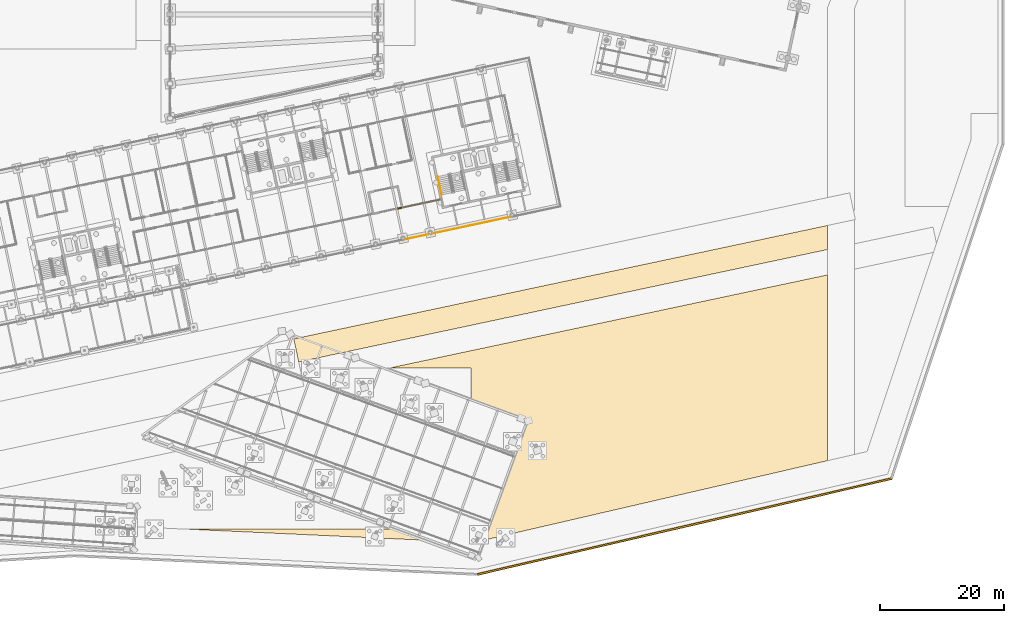
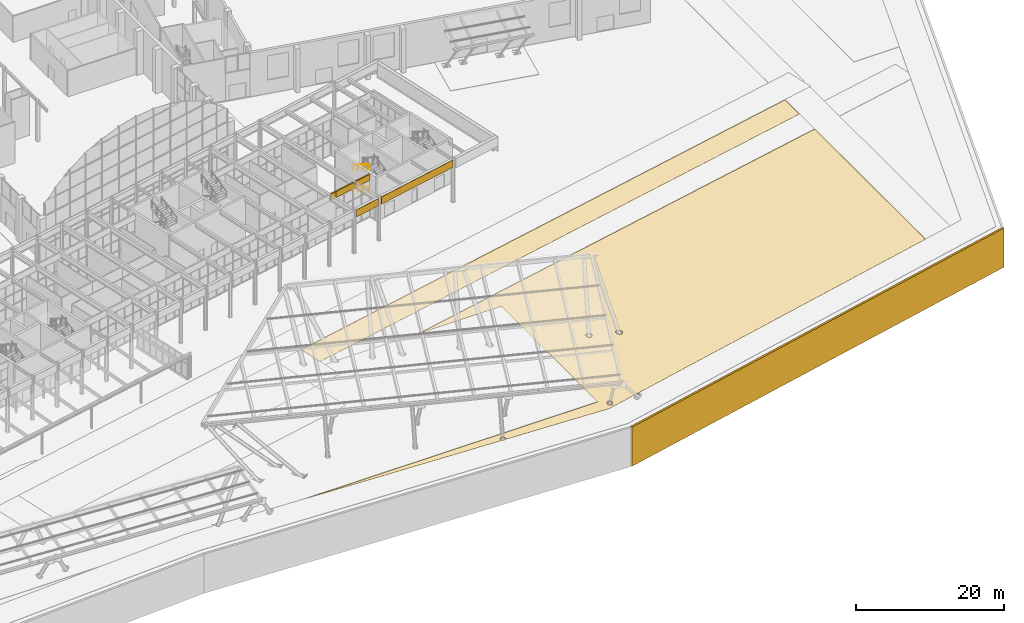
# One storey, part 216 of 239: 8 coverings, 2 railings.
"""IFC4 building model written with IfcOpenShell, lengths in metres."""

import ifcopenshell
import ifcopenshell.guid

model = None  # the IFC model being written
_history = None  # IfcOwnerHistory: only IFC2X3 demands one
_inside = {}  # id of a spatial element -> (the spatial element, [elements in it])
_under = {}  # id of a project, library or spatial element -> (it, [spatial elements below it])
_declared = {}  # id of a project -> (the project, [libraries it declares])
_typed = {}  # id of a type object -> (the type object, [elements of that type])
_made_of = {}  # id of a material, layer set ... -> (it, [elements and type objects made of it])


def new_model(schema):
    """Start an empty IFC model of exactly this schema.

    Asked for "IFC4X3", IfcOpenShell would pick the latest addendum, in which some entities
    have other attributes; the version numbers below select the first issue.
    IFC2X3 requires an IfcOwnerHistory on every rooted entity: one is made here for all.
    """
    global model, _history
    if schema == "IFC4X3":
        model = ifcopenshell.file(schema_version=(4, 3, 0, 0))
    else:
        model = ifcopenshell.file(schema=schema)
    _inside.clear()
    _under.clear()
    _declared.clear()
    _typed.clear()
    _made_of.clear()
    _history = None
    if model.schema == "IFC2X3":
        org = make("IfcOrganization", Name="unknown")
        user = make(
            "IfcPersonAndOrganization",
            ThePerson=make("IfcPerson", FamilyName="unknown"),
            TheOrganization=org,
        )
        app = make(
            "IfcApplication",
            ApplicationDeveloper=org,
            Version="unknown",
            ApplicationFullName="unknown",
            ApplicationIdentifier="unknown",
        )
        _history = make(
            "IfcOwnerHistory",
            OwningUser=user,
            OwningApplication=app,
            ChangeAction="ADDED",
            CreationDate=0,
        )
    return model


def make(cls, **values):
    """One entity of the class cls with the attributes given. An attribute that is None is left unset."""
    return model.create_entity(
        cls, **{name: value for name, value in values.items() if value is not None}
    )


def rooted(cls, **values):
    """An entity with a GlobalId (a new one), such as an element, a storey or a relation."""
    return make(cls, GlobalId=ifcopenshell.guid.new(), OwnerHistory=_history, **values)


def si_unit(unit_type, name, prefix=None):
    """IfcSIUnit, for example si_unit("LENGTHUNIT", "METRE", prefix="MILLI")."""
    return make("IfcSIUnit", UnitType=unit_type, Prefix=prefix, Name=name)


def assignment(units):
    """IfcUnitAssignment: the units of a project."""
    return None if units is None else make("IfcUnitAssignment", Units=units)


def point(xyz):
    """IfcCartesianPoint."""
    return None if xyz is None else make("IfcCartesianPoint", Coordinates=xyz)


def direction(xyz):
    """IfcDirection."""
    return None if xyz is None else make("IfcDirection", DirectionRatios=xyz)


def frame(location, z_axis=None, x_axis=None):
    """IfcAxis2Placement3D, a coordinate frame: its origin and axes. An axis left out is left unset."""
    return make(
        "IfcAxis2Placement3D",
        Location=point(location),
        Axis=direction(z_axis),
        RefDirection=direction(x_axis),
    )


def frame_2d(location, x_axis=None):
    """IfcAxis2Placement2D, a coordinate frame in the plane: its origin and x axis."""
    return make(
        "IfcAxis2Placement2D", Location=point(location), RefDirection=direction(x_axis)
    )


def origin():
    """The frame at (0, 0, 0) with its axes left unset."""
    return frame((0.0, 0.0, 0.0))


def origin_2d():
    """The frame at (0, 0) in the plane with its x axis left unset."""
    return frame_2d((0.0, 0.0))


def place(relative_to, where):
    """IfcLocalPlacement: puts the frame where relative to a parent placement (None: the world)."""
    return make(
        "IfcLocalPlacement", PlacementRelTo=relative_to, RelativePlacement=where
    )


def context(
    kind, dimensions, precision=None, world=None, true_north=None, identifier=None
):
    """IfcGeometricRepresentationContext, for example the 3D "Model" context."""
    return make(
        "IfcGeometricRepresentationContext",
        ContextIdentifier=identifier,
        ContextType=kind,
        CoordinateSpaceDimension=dimensions,
        Precision=precision,
        WorldCoordinateSystem=world,
        TrueNorth=true_north,
    )


def subcontext(parent, identifier, kind, view, scale=None):
    """IfcGeometricRepresentationSubContext, for example "Body" below "Model"."""
    return make(
        "IfcGeometricRepresentationSubContext",
        ContextIdentifier=identifier,
        ContextType=kind,
        ParentContext=parent,
        TargetScale=scale,
        TargetView=view,
    )


def project(units=None, contexts=None):
    """IfcProject with its units and contexts."""
    return rooted(
        "IfcProject",
        Name="project",
        RepresentationContexts=contexts,
        UnitsInContext=assignment(units),
    )


def spatial(cls, under=None, at=None, **own):
    """A site, building, storey or space (cls), placed at a placement, below another one or the project."""
    s = rooted(cls, ObjectPlacement=at, **own)
    if under is not None:
        _under.setdefault(under.id(), (under, []))[1].append(s)
    return s


def polyline(points):
    """IfcPolyline through the points."""
    return make("IfcPolyline", Points=[point(p) for p in points])


def profile(cls, at=None, kind="AREA", **sizes):
    """A parametric profile (cls). Its sizes go by their IFC names, for example OverallWidth=200.0."""
    return make(cls, ProfileType=kind, Position=at, **sizes)


def rectangle(**sizes):
    """IfcRectangleProfileDef."""
    return profile("IfcRectangleProfileDef", **sizes)


def circle(**sizes):
    """IfcCircleProfileDef."""
    return profile("IfcCircleProfileDef", **sizes)


def outline(outer, holes=None, kind="AREA"):
    """IfcArbitraryClosedProfileDef: a profile drawn as a closed curve; with holes, ...WithVoids."""
    if holes is None:
        return make("IfcArbitraryClosedProfileDef", ProfileType=kind, OuterCurve=outer)
    return make(
        "IfcArbitraryProfileDefWithVoids",
        ProfileType=kind,
        OuterCurve=outer,
        InnerCurves=holes,
    )


def extrude(swept, where, along, depth):
    """IfcExtrudedAreaSolid: the profile swept, set in the frame where, extruded along a direction by depth."""
    return make(
        "IfcExtrudedAreaSolid",
        SweptArea=swept,
        Position=where,
        ExtrudedDirection=direction(along),
        Depth=depth,
    )


def shape(context_of_items, identifier, shape_type, items):
    """IfcShapeRepresentation: the items that make up one representation, for example the "Body"."""
    return make(
        "IfcShapeRepresentation",
        ContextOfItems=context_of_items,
        RepresentationIdentifier=identifier,
        RepresentationType=shape_type,
        Items=items,
    )


def material(Name=None, Category=None):
    """IfcMaterial."""
    return make("IfcMaterial", Name=Name, Category=Category)


def layer(
    of_material, thickness, ventilated=None, Name=None, Category=None, Priority=None
):
    """IfcMaterialLayer: one layer of a wall or slab, of a material (None: an air gap)."""
    return make(
        "IfcMaterialLayer",
        Material=of_material,
        LayerThickness=thickness,
        IsVentilated=ventilated,
        Name=Name,
        Category=Category,
        Priority=Priority,
    )


def layer_set(layers, Name=None):
    """IfcMaterialLayerSet."""
    return make("IfcMaterialLayerSet", MaterialLayers=layers, LayerSetName=Name)


def made_of(thing, what):
    """Note that an element or type object is made of a material, layer set ...; save() writes the relation."""
    if what is not None:
        _made_of.setdefault(what.id(), (what, []))[1].append(thing)
    return thing


def type_object(cls, material=None, **own):
    """A type object (cls), such as IfcWallType, which elements share."""
    return made_of(rooted(cls, **own), material)


def element(
    cls,
    number,
    at=None,
    inside=None,
    cuts=None,
    type_object=None,
    material=None,
    context=None,
    identifier="Body",
    shape_type=None,
    held_by="IfcProductDefinitionShape",
    body=None,
    shapes=None,
    **own,
):
    """One element of the class cls, such as IfcWall. Its Tag is "e" and its number.

    at: its placement. inside: the storey or other place that contains it. cuts: it is an
    opening in that element (IfcRelVoidsElement). A single representation is given by context,
    identifier, shape_type and body (its items); several are given by shapes. held_by: the class
    of the entity that holds the representations. save() writes the other relations.
    """
    e = rooted(cls, Tag="e%d" % number, ObjectPlacement=at, **own)
    if body is not None:
        shapes = [shape(context, identifier, shape_type, body)]
    if shapes is not None:
        e.Representation = make(held_by, Representations=shapes)
    if inside is not None:
        _inside.setdefault(inside.id(), (inside, []))[1].append(e)
    if cuts is not None:
        rooted(
            "IfcRelVoidsElement", RelatingBuildingElement=cuts, RelatedOpeningElement=e
        )
    if type_object is not None:
        _typed.setdefault(type_object.id(), (type_object, []))[1].append(e)
    return made_of(e, material)


def aggregate(whole, parts):
    """IfcRelAggregates: a whole, such as a stair, and the parts it consists of."""
    return rooted("IfcRelAggregates", RelatingObject=whole, RelatedObjects=parts)


def save(model, path):
    """Write the relations noted so far, then the file.

    IfcRelAggregates (storeys below a building ...), IfcRelContainedInSpatialStructure (elements
    in a storey), IfcRelDefinesByType, IfcRelAssociatesMaterial and IfcRelDeclares: one each for
    every whole, place, type object, material and project.
    """
    for whole, parts in _under.values():
        aggregate(whole, parts)
    for where, things in _inside.values():
        rooted(
            "IfcRelContainedInSpatialStructure",
            RelatedElements=things,
            RelatingStructure=where,
        )
    for kind, things in _typed.values():
        rooted("IfcRelDefinesByType", RelatedObjects=things, RelatingType=kind)
    for what, things in _made_of.values():
        rooted("IfcRelAssociatesMaterial", RelatedObjects=things, RelatingMaterial=what)
    for by, libraries in _declared.values():
        rooted("IfcRelDeclares", RelatingContext=by, RelatedDefinitions=libraries)
    model.write(path)


model = new_model("IFC4")

# Units and contexts
model_context = context("Model", 3, precision=1e-05, world=origin(), true_north=direction((0.0, 1.0)))
body_context = subcontext(model_context, "Body", "Model", "MODEL_VIEW")
ifc_project = project(units=[si_unit("LENGTHUNIT", "METRE"), si_unit("AREAUNIT", "SQUARE_METRE"), si_unit("VOLUMEUNIT", "CUBIC_METRE"), si_unit("PLANEANGLEUNIT", "RADIAN"), si_unit("MASSUNIT", "GRAM", prefix="KILO")], contexts=[model_context])

# Site, building, storey
site_placement = place(None, origin())
site = spatial("IfcSite", under=ifc_project, at=site_placement, CompositionType="ELEMENT")
building_placement = place(site_placement, origin())
building = spatial("IfcBuilding", under=site, at=building_placement, Name="Okhra Congress Centre", CompositionType="ELEMENT")
storey_placement = place(building_placement, origin())
storey = spatial("IfcBuildingStorey", under=building, at=storey_placement, Name="L00", CompositionType="ELEMENT", Elevation=0.0)

# Coverings
ifc_material_1 = material(Name="Dark bronze anodised aluminium fascia panel", Category="aluminium")
ifc_layer_1 = layer(ifc_material_1, 0.06005859375)
ifc_layer_set_1 = layer_set([ifc_layer_1], Name="Dark bronze fascia strip 60")
covering_type_1 = type_object("IfcCoveringType", Name="Dark bronze fascia strip 60", PredefinedType="CLADDING", material=ifc_layer_set_1)
covering_1_placement = place(storey_placement, frame((195.3095703125, 55.1201171875, 5.85009765625), z_axis=(0.0, 0.0, 1.0), x_axis=(0.978147600734, 0.207911690818, 0.0)))
element("IfcCovering", 1, at=covering_1_placement, inside=storey, type_object=covering_type_1, Name="Girder fascia strip", PredefinedType="CLADDING", context=body_context, shape_type="SweptSolid", body=[
    extrude(rectangle(XDim=3.991943359375, YDim=0.06005859375, at=origin_2d()), origin(), (0.0, 0.0, 1.0), 1.199951171875),
])
covering_2_placement = place(storey_placement, frame((204.11279296875, 56.991455078125, 5.85009765625), z_axis=(0.0, 0.0, 1.0), x_axis=(0.978147600734, 0.207911690818, 0.0)))
element("IfcCovering", 2, at=covering_2_placement, inside=storey, type_object=covering_type_1, Name="Girder fascia strip", PredefinedType="CLADDING", context=body_context, shape_type="SweptSolid", body=[
    extrude(rectangle(XDim=12.991943359375, YDim=0.06005859375, at=origin_2d()), origin(), (0.0, 0.0, 1.0), 1.199951171875),
])
ifc_material_2 = material(Name="Insulated metal sandwich panel (mineral wool core)")
ifc_layer_2 = layer(ifc_material_2, 0.199951171875)
ifc_layer_set_2 = layer_set([ifc_layer_2], Name="Insulated fascia cladding panel 200")
covering_type_2 = type_object("IfcCoveringType", Name="Insulated fascia cladding panel 200", PredefinedType="CLADDING", material=ifc_layer_set_2)
covering_3_placement = place(storey_placement, frame((194.663818359375, 60.201904296875, 6.050048828125), z_axis=(0.0, 0.0, 1.0), x_axis=(0.978147600734, 0.207911690818, 0.0)))
element("IfcCovering", 3, at=covering_3_placement, inside=storey, type_object=covering_type_2, Name="Fascia over glazing", PredefinedType="CLADDING", context=body_context, shape_type="SweptSolid", body=[
    extrude(rectangle(XDim=3.35009765625, YDim=0.199951171875, at=origin_2d()), origin(), (0.0, 0.0, 1.0), 1.0),
])
covering_4_placement = place(storey_placement, frame((197.8427734375, 60.877685546875, 6.050048828125), z_axis=(0.0, 0.0, 1.0), x_axis=(0.978147600734, 0.207911690818, 0.0)))
element("IfcCovering", 4, at=covering_4_placement, inside=storey, type_object=covering_type_2, Name="Fascia over glazing", PredefinedType="CLADDING", context=body_context, shape_type="SweptSolid", body=[
    extrude(rectangle(XDim=2.550048828125, YDim=0.199951171875, at=origin_2d()), origin(), (0.0, 0.0, 1.0), 1.0),
])
covering_5_placement = place(storey_placement, frame((192.60986328125, 59.765380859375, 6.050048828125), z_axis=(0.0, 0.0, 1.0), x_axis=(0.978147600734, 0.207911690818, 0.0)))
element("IfcCovering", 5, at=covering_5_placement, inside=storey, type_object=covering_type_2, Name="Fascia over glazing", PredefinedType="CLADDING", context=body_context, shape_type="SweptSolid", body=[
    extrude(rectangle(XDim=0.85009765625, YDim=0.199951171875, at=origin_2d()), origin(), (0.0, 0.0, 1.0), 1.0),
])
ifc_material_3 = material(Name="Compacted engineered fill face with geotextile and turf")
ifc_layer_3 = layer(ifc_material_3, 0.300048828125)
ifc_layer_set_3 = layer_set([ifc_layer_3], Name="Site ground edge (engineered fill face)")
covering_type_3 = type_object("IfcCoveringType", Name="Site ground edge (engineered fill face)", PredefinedType="USERDEFINED", material=ifc_layer_set_3)
covering_6_placement = place(storey_placement, frame((0.0, 0.0, -6.5)))
element("IfcCovering", 6, at=covering_6_placement, inside=storey, type_object=covering_type_3, Name="Site ground edge (engineered fill face) 5", ObjectType="Site ground edge (engineered fill face)", PredefinedType="USERDEFINED", context=body_context, shape_type="SweptSolid", body=[
    extrude(outline(polyline([(205.0, 0.5), (272.0, 16.0), (271.7685546875, 16.25439453125), (204.97265625, 0.801513671875), (205.0, 0.5)])), origin(), (0.0, 0.0, 1.0), 6.449951171875),
])
ifc_material_4 = material(Name="Compacted engineered fill with topsoil and grass or paving bed")
ifc_layer_4 = layer(ifc_material_4, 0.050048828125)
ifc_layer_set_4 = layer_set([ifc_layer_4], Name="Site ground surface (engineered fill and landscape)")
covering_type_4 = type_object("IfcCoveringType", Name="Site ground surface (engineered fill and landscape)", PredefinedType="FLOORING", material=ifc_layer_set_4)
covering_7_placement = place(storey_placement, frame((0.0, 0.0, -0.10009765625)))
element("IfcCovering", 7, at=covering_7_placement, inside=storey, type_object=covering_type_4, Name="Site ground surface (engineered fill and landscape) 3", PredefinedType="FLOORING", context=body_context, shape_type="SweptSolid", body=[
    extrude(outline(polyline([(188.220458984375, 6.580810546875), (188.19287109375, 6.6328125), (188.169921875, 6.6982421875), (188.159912109375, 6.76708984375), (188.16015625, 6.802001953125), (188.163818359375, 6.83642578125), (188.18115234375, 6.90380859375), (188.255126953125, 7.1025390625), (188.291259765625, 7.162109375), (188.3134765625, 7.188720703125), (188.33837890625, 7.21337890625), (188.394287109375, 7.25439453125), (188.457275390625, 7.28369140625), (188.49072265625, 7.293701171875), (188.52490234375, 7.30029296875), (188.59423828125, 7.30322265625), (188.62890625, 7.2998046875), (188.6962890625, 7.282470703125), (188.728271484375, 7.26904296875), (188.78759765625, 7.23291015625), (188.839111328125, 7.18603515625), (188.86083984375, 7.158935546875), (188.896240234375, 7.09912109375), (188.91943359375, 7.033447265625), (188.92919921875, 6.964599609375), (188.928955078125, 6.929931640625), (188.91845703125, 6.861083984375), (188.833984375, 6.629150390625), (188.8173828125, 6.5986328125), (188.78759765625, 6.5546875), (204.515869140625, 5.82861328125), (209.611328125, 7.00732421875), (209.459716796875, 6.89599609375), (209.592529296875, 6.908447265625), (209.661865234375, 6.90478515625), (209.729248046875, 6.8876953125), (209.84423828125, 6.83935546875), (209.6923828125, 7.026123046875), (261.49951171875, 19.011474609375), (261.49951171875, 48.97705078125), (191.176025390625, 34.029296875), (191.17919921875, 34.00048828125), (204.00048828125, 34.00048828125), (204.00048828125, 7.99951171875), (158.6328125, 7.99951171875), (158.631591796875, 7.9462890625), (188.220458984375, 6.580810546875)]), holes=[polyline([(214.3251953125, 21.024658203125), (214.30810546875, 20.988525390625), (214.294921875, 20.951171875), (214.28515625, 20.91259765625), (214.279296875, 20.873046875), (214.27734375, 20.83349609375), (214.279296875, 20.793701171875), (214.28515625, 20.754150390625), (214.294921875, 20.715576171875), (214.3505859375, 20.531982421875), (214.364013671875, 20.494384765625), (214.380859375, 20.45849609375), (214.4013671875, 20.42431640625), (214.425048828125, 20.392333984375), (214.451904296875, 20.36279296875), (214.481201171875, 20.336181640625), (214.51318359375, 20.3125), (214.54736328125, 20.2919921875), (214.58349609375, 20.27490234375), (214.620849609375, 20.261474609375), (214.659423828125, 20.251708984375), (214.69873046875, 20.24609375), (214.738525390625, 20.243896484375), (214.7783203125, 20.24609375), (214.817626953125, 20.251708984375), (214.856201171875, 20.261474609375), (214.893798828125, 20.27490234375), (214.9296875, 20.2919921875), (214.9638671875, 20.3125), (214.995849609375, 20.336181640625), (215.025390625, 20.36279296875), (215.052001953125, 20.392333984375), (215.07568359375, 20.42431640625), (215.09619140625, 20.45849609375), (215.11328125, 20.494384765625), (215.126708984375, 20.531982421875), (215.136474609375, 20.570556640625), (215.142333984375, 20.60986328125), (215.144287109375, 20.649658203125), (215.142333984375, 20.689453125), (215.136474609375, 20.728759765625), (215.126708984375, 20.767333984375), (215.071044921875, 20.950927734375), (215.0576171875, 20.988525390625), (215.04052734375, 21.0244140625), (215.020263671875, 21.05859375), (214.99658203125, 21.090576171875), (214.9697265625, 21.1201171875), (214.940185546875, 21.146728515625), (214.908203125, 21.170654296875), (214.8740234375, 21.19091796875), (214.838134765625, 21.2080078125), (214.80078125, 21.221435546875), (214.76220703125, 21.231201171875), (214.72265625, 21.237060546875), (214.68310546875, 21.239013671875), (214.643310546875, 21.237060546875), (214.603759765625, 21.231201171875), (214.565185546875, 21.221435546875), (214.527587890625, 21.2080078125), (214.49169921875, 21.191162109375), (214.45751953125, 21.170654296875), (214.425537109375, 21.14697265625), (214.39599609375, 21.1201171875), (214.369384765625, 21.0908203125), (214.345703125, 21.05859375), (214.3251953125, 21.024658203125)]), polyline([(210.673095703125, 22.597900390625), (210.6376953125, 22.57958984375), (210.6044921875, 22.5576171875), (210.57373046875, 22.532470703125), (210.54541015625, 22.50439453125), (210.52001953125, 22.473876953125), (210.497802734375, 22.44091796875), (210.478759765625, 22.40576171875), (210.46337890625, 22.369140625), (210.410888671875, 22.224853515625), (210.39892578125, 22.186767578125), (210.39111328125, 22.147705078125), (210.386962890625, 22.108154296875), (210.38671875, 22.068359375), (210.390380859375, 22.02880859375), (210.39794921875, 21.98974609375), (210.4091796875, 21.95166015625), (210.42431640625, 21.914794921875), (210.44287109375, 21.87939453125), (210.46484375, 21.84619140625), (210.489990234375, 21.8154296875), (210.517822265625, 21.787109375), (210.548583984375, 21.76171875), (210.58154296875, 21.739501953125), (210.616455078125, 21.720458984375), (210.6533203125, 21.705078125), (210.691162109375, 21.693115234375), (210.730224609375, 21.685302734375), (210.769775390625, 21.68115234375), (210.8095703125, 21.680908203125), (210.84912109375, 21.6845703125), (210.88818359375, 21.692138671875), (210.926513671875, 21.70361328125), (210.96337890625, 21.718505859375), (210.99853515625, 21.737060546875), (211.03173828125, 21.759033203125), (211.062744140625, 21.7841796875), (211.091064453125, 21.81201171875), (211.116455078125, 21.8427734375), (211.138671875, 21.875732421875), (211.15771484375, 21.91064453125), (211.173095703125, 21.947509765625), (211.2255859375, 22.091796875), (211.2373046875, 22.129638671875), (211.245361328125, 22.168701171875), (211.24951171875, 22.208251953125), (211.24951171875, 22.248046875), (211.24609375, 22.28759765625), (211.23828125, 22.326904296875), (211.22705078125, 22.364990234375), (211.2119140625, 22.40185546875), (211.193603515625, 22.43701171875), (211.17138671875, 22.47021484375), (211.146484375, 22.501220703125), (211.118408203125, 22.529541015625), (211.087890625, 22.554931640625), (211.0546875, 22.5771484375), (211.019775390625, 22.59619140625), (210.983154296875, 22.611572265625), (210.945068359375, 22.623291015625), (210.906005859375, 22.63134765625), (210.866455078125, 22.635498046875), (210.82666015625, 22.635498046875), (210.787109375, 22.632080078125), (210.748046875, 22.62451171875), (210.7099609375, 22.613037109375), (210.673095703125, 22.597900390625)]), polyline([(205.384521484375, 6.496337890625), (205.415283203125, 6.5126953125), (205.4443359375, 6.53173828125), (205.471435546875, 6.5537109375), (205.49609375, 6.578125), (205.518310546875, 6.60498046875), (205.537841796875, 6.6337890625), (205.554443359375, 6.664306640625), (205.56787109375, 6.6962890625), (205.65283203125, 6.9296875), (205.6630859375, 6.962890625), (205.670166015625, 6.9970703125), (205.673583984375, 7.03173828125), (205.673828125, 7.06640625), (205.670654296875, 7.101318359375), (205.6640625, 7.13525390625), (205.654052734375, 7.168701171875), (205.64111328125, 7.200927734375), (205.624755859375, 7.231689453125), (205.605712890625, 7.2607421875), (205.58349609375, 7.28759765625), (205.55908203125, 7.3125), (205.532470703125, 7.334716796875), (205.50341796875, 7.354248046875), (205.472900390625, 7.370849609375), (205.44091796875, 7.38427734375), (205.40771484375, 7.39453125), (205.37353515625, 7.401611328125), (205.3388671875, 7.405029296875), (205.30419921875, 7.4052734375), (205.26953125, 7.402099609375), (205.2353515625, 7.3955078125), (205.201904296875, 7.385498046875), (205.169677734375, 7.372314453125), (205.138916015625, 7.356201171875), (205.10986328125, 7.3369140625), (205.0830078125, 7.315185546875), (205.05810546875, 7.29052734375), (205.035888671875, 7.263916015625), (205.016357421875, 7.235107421875), (205.0, 7.204345703125), (204.986328125, 7.17236328125), (204.9013671875, 6.93896484375), (204.89111328125, 6.90576171875), (204.88427734375, 6.87158203125), (204.880615234375, 6.8369140625), (204.88037109375, 6.80224609375), (204.883544921875, 6.767578125), (204.89013671875, 6.7333984375), (204.900146484375, 6.7001953125), (204.913330078125, 6.66796875), (204.929443359375, 6.63720703125), (204.94873046875, 6.60791015625), (204.970703125, 6.5810546875), (204.9951171875, 6.556396484375), (205.02197265625, 6.5341796875), (205.05078125, 6.5146484375), (205.081298828125, 6.498046875), (205.11328125, 6.484619140625), (205.146484375, 6.47412109375), (205.1806640625, 6.46728515625), (205.21533203125, 6.463623046875), (205.25, 6.46337890625), (205.284912109375, 6.466796875), (205.31884765625, 6.473388671875), (205.352294921875, 6.483154296875), (205.384521484375, 6.496337890625)])]), origin(), (0.0, 0.0, 1.0), 0.050048828125),
])
covering_8_placement = place(storey_placement, frame((0.0, 0.0, -0.10009765625)))
element("IfcCovering", 8, at=covering_8_placement, inside=storey, type_object=covering_type_4, Name="Site ground surface (engineered fill and landscape) 6", PredefinedType="FLOORING", context=body_context, shape_type="SweptSolid", body=[
    extrude(outline(polyline([(176.238037109375, 34.944580078125), (261.49951171875, 53.0673828125), (261.49951171875, 56.951171875), (175.4482421875, 38.660400390625), (176.238037109375, 34.944580078125)])), origin(), (0.0, 0.0, 1.0), 0.050048828125),
])

# Railings
ifc_material_5 = material(Name="Painted steel tube handrail on wall brackets", Category="steel")
railing_type = type_object("IfcRailingType", Name="Steel handrail 900", PredefinedType="HANDRAIL", material=ifc_material_5)
railing_1_placement = place(storey_placement, frame((198.6630859375, 64.834716796875, 1.963623046875)))
element("IfcRailing", 9, at=railing_1_placement, inside=storey, type_object=railing_type, Name="L00 BS5A stair handrail 2", PredefinedType="HANDRAIL", context=body_context, shape_type="SweptSolid", body=[
    extrude(circle(Radius=0.02392578125, at=origin_2d()), frame((0.0, 0.0, 0.8759765625), z_axis=(0.182528576341, -0.858705865993, 0.47886068384), x_axis=(0.978146440129, 0.207917150959, 0.0)), (0.0, 0.0, 1.0), 3.41748046875),
    extrude(circle(Radius=0.02099609375, at=origin_2d()), origin(), (0.0, 0.0, 1.0), 0.851806640625),
    extrude(circle(Radius=0.02099609375, at=origin_2d()), frame((0.2080078125, -0.978271484375, 0.54541015625)), (0.0, 0.0, 1.0), 0.851806640625),
    extrude(circle(Radius=0.02099609375, at=origin_2d()), frame((0.415771484375, -1.956298828125, 1.091064453125)), (0.0, 0.0, 1.0), 0.851806640625),
    extrude(circle(Radius=0.02099609375, at=origin_2d()), frame((0.623779296875, -2.9345703125, 1.636474609375)), (0.0, 0.0, 1.0), 0.851806640625),
])
railing_2_placement = place(storey_placement, frame((198.6630859375, 64.834716796875, 5.563720703125)))
element("IfcRailing", 10, at=railing_2_placement, inside=storey, type_object=railing_type, Name="L00 BS5A stair handrail 4", PredefinedType="HANDRAIL", context=body_context, shape_type="SweptSolid", body=[
    extrude(circle(Radius=0.02392578125, at=origin_2d()), frame((0.0, 0.0, 0.8759765625), z_axis=(0.182534820441, -0.858735241371, 0.478805622934), x_axis=(0.978146440129, 0.207917150959, 0.0)), (0.0, 0.0, 1.0), 3.417236328125),
    extrude(circle(Radius=0.02099609375, at=origin_2d()), origin(), (0.0, 0.0, 1.0), 0.851806640625),
    extrude(circle(Radius=0.02099609375, at=origin_2d()), frame((0.2080078125, -0.978271484375, 0.54541015625)), (0.0, 0.0, 1.0), 0.851806640625),
    extrude(circle(Radius=0.02099609375, at=origin_2d()), frame((0.415771484375, -1.956298828125, 1.0908203125)), (0.0, 0.0, 1.0), 0.851806640625),
    extrude(circle(Radius=0.02099609375, at=origin_2d()), frame((0.623779296875, -2.9345703125, 1.63623046875)), (0.0, 0.0, 1.0), 0.851806640625),
])

save(model, "model.ifc")
